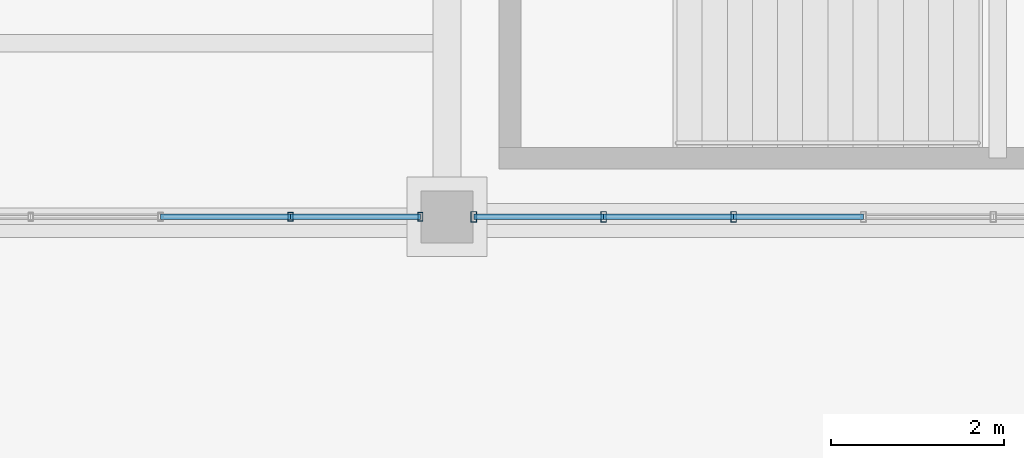
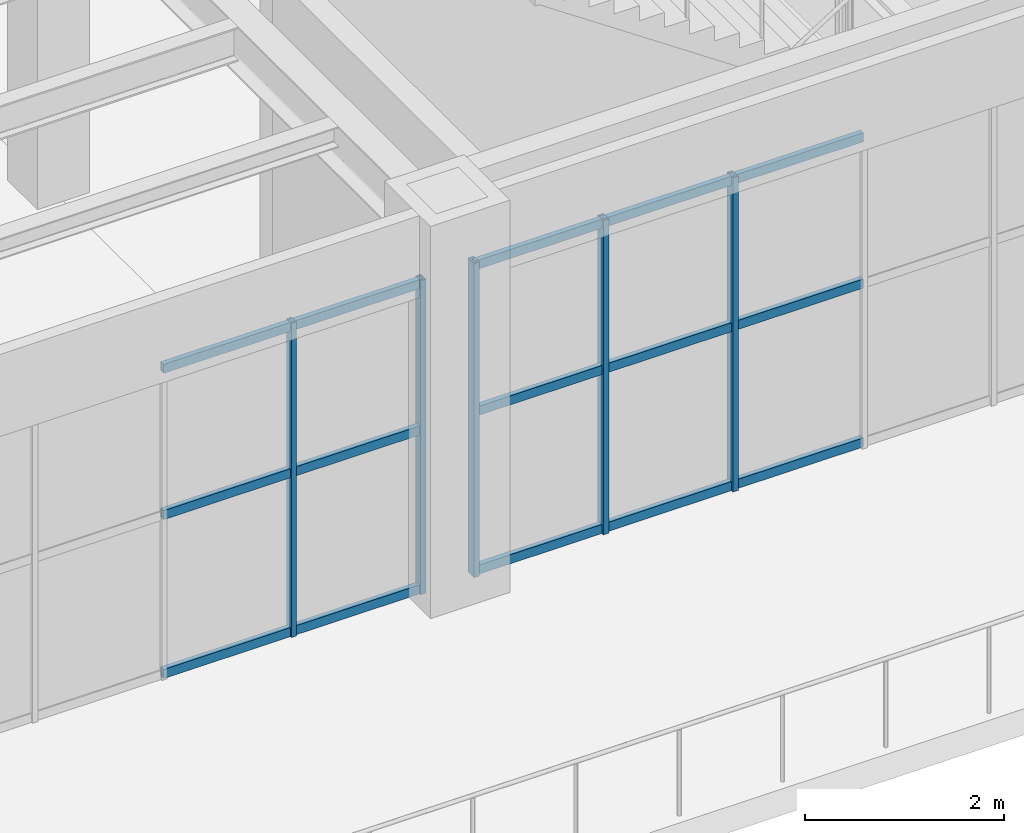
# One storey, part 31 of 83: 20 members, 2 elements without a shape of their own.
"""IFC4 building model written with IfcOpenShell, lengths in metres."""

from ifc_helpers import new_model, si_unit, direction, frame, origin, origin_2d, place, context, subcontext, project, spatial, hollow_rectangle, extrude, material, material_profile, profile_set, type_object, element, aggregate, save


model = new_model("IFC4")

# Units and contexts
model_context = context("Model", 3, precision=1e-05, world=origin(), true_north=direction((0.0, 1.0)))
body_context = subcontext(model_context, "Body", "Model", "MODEL_VIEW")
ifc_project = project(units=[si_unit("LENGTHUNIT", "METRE"), si_unit("AREAUNIT", "SQUARE_METRE"), si_unit("VOLUMEUNIT", "CUBIC_METRE"), si_unit("PLANEANGLEUNIT", "RADIAN"), si_unit("MASSUNIT", "GRAM", prefix="KILO")], contexts=[model_context])

# Site, building, storey
site_placement = place(None, origin())
site = spatial("IfcSite", under=ifc_project, at=site_placement, CompositionType="ELEMENT")
building_placement = place(site_placement, origin())
building = spatial("IfcBuilding", under=site, at=building_placement, Name="Mavantir Sound Aquarium", CompositionType="ELEMENT")
storey_placement = place(building_placement, frame((0.0, 0.0, 10.5)))
storey = spatial("IfcBuildingStorey", under=building, at=storey_placement, Name="L02", CompositionType="ELEMENT", Elevation=10.5)

# Curtain wall, members
ifc_material_1 = material(Name="Anodised Marine Aluminium and Low-E Glass", Category="aluminium")
curtain_wall_type_1 = type_object("IfcCurtainWallType", Name="CW-T15", PredefinedType="USERDEFINED", material=ifc_material_1)
curtain_wall_1_placement = place(storey_placement, origin())
curtain_wall_1 = element("IfcCurtainWall", 1, at=curtain_wall_1_placement, inside=storey, type_object=curtain_wall_type_1, Name="L02 unitised curtain wall CW-15 135", ObjectType="UNITISED GLAZING", PredefinedType="USERDEFINED")
ifc_material_2 = material(Name="Anodised Marine Aluminium 6063-T6", Category="aluminium")
ifc_material_profile_1 = material_profile(ifc_material_2, hollow_rectangle(XDim=0.06005859375, YDim=0.10009765625, WallThickness=0.00390625, at=origin_2d()), Name="ALU-MULLION-100X60")
ifc_profile_set_1 = profile_set([ifc_material_profile_1], Name="Anodised Marine Aluminium 6063-T6")
member_type_1 = type_object("IfcMemberType", Name="CW-MUL-100", PredefinedType="MULLION", material=ifc_profile_set_1)
member_1_placement = place(storey_placement, frame((144.5947265625, 40.800048828125, 0.0), z_axis=(0.0, 0.0, 1.0), x_axis=(1.0, 0.0, 0.0)))
member_1 = element("IfcMember", 2, at=member_1_placement, type_object=member_type_1, Name="CW-L02-135 vertical mullion 6", PredefinedType="MULLION", context=body_context, shape_type="SweptSolid", body=[
    extrude(hollow_rectangle(XDim=0.06005859375, YDim=0.10009765625, WallThickness=0.00390625, at=origin_2d()), origin(), (0.0, 0.0, 1.0), 3.844970703125),
])
member_2_placement = place(storey_placement, frame((146.092041015625, 40.800048828125, 0.0), z_axis=(0.0, 0.0, 1.0), x_axis=(1.0, 0.0, 0.0)))
member_2 = element("IfcMember", 3, at=member_2_placement, type_object=member_type_1, Name="CW-L02-135 vertical mullion 7", PredefinedType="MULLION", context=body_context, shape_type="SweptSolid", body=[
    extrude(hollow_rectangle(XDim=0.06005859375, YDim=0.10009765625, WallThickness=0.00390625, at=origin_2d()), origin(), (0.0, 0.0, 1.0), 3.844970703125),
])

curtain_wall_type_2 = type_object("IfcCurtainWallType", Name="CW-T16", PredefinedType="USERDEFINED", material=ifc_material_1)
curtain_wall_2_placement = place(storey_placement, origin())
curtain_wall_2 = element("IfcCurtainWall", 4, at=curtain_wall_2_placement, inside=storey, type_object=curtain_wall_type_2, Name="L02 unitised curtain wall CW-16 136", ObjectType="UNITISED GLAZING", PredefinedType="USERDEFINED")
ifc_material_profile_2 = material_profile(ifc_material_2, hollow_rectangle(XDim=0.06494140625, YDim=0.1201171875, WallThickness=0.00390625, at=origin_2d()), Name="ALU-MULLION-120X65")
ifc_profile_set_2 = profile_set([ifc_material_profile_2], Name="Anodised Marine Aluminium 6063-T6")
member_type_2 = type_object("IfcMemberType", Name="CW-MUL-120", PredefinedType="MULLION", material=ifc_profile_set_2)
member_3_placement = place(storey_placement, frame((146.7080078125, 40.800048828125, 0.0), z_axis=(0.0, 0.0, 1.0), x_axis=(1.0, 0.0, 0.0)))
member_3 = element("IfcMember", 5, at=member_3_placement, type_object=member_type_2, Name="CW-L02-136 vertical mullion 1", PredefinedType="MULLION", context=body_context, shape_type="SweptSolid", body=[
    extrude(hollow_rectangle(XDim=0.06494140625, YDim=0.1201171875, WallThickness=0.00390625, at=origin_2d()), origin(), (0.0, 0.0, 1.0), 3.844970703125),
])
member_4_placement = place(storey_placement, frame((148.205322265625, 40.800048828125, 0.0), z_axis=(0.0, 0.0, 1.0), x_axis=(1.0, 0.0, 0.0)))
member_4 = element("IfcMember", 6, at=member_4_placement, type_object=member_type_2, Name="CW-L02-136 vertical mullion 2", PredefinedType="MULLION", context=body_context, shape_type="SweptSolid", body=[
    extrude(hollow_rectangle(XDim=0.06494140625, YDim=0.1201171875, WallThickness=0.00390625, at=origin_2d()), origin(), (0.0, 0.0, 1.0), 3.844970703125),
])
member_5_placement = place(storey_placement, frame((149.70263671875, 40.800048828125, 0.0), z_axis=(0.0, 0.0, 1.0), x_axis=(1.0, 0.0, 0.0)))
member_5 = element("IfcMember", 7, at=member_5_placement, type_object=member_type_2, Name="CW-L02-136 vertical mullion 3", PredefinedType="MULLION", context=body_context, shape_type="SweptSolid", body=[
    extrude(hollow_rectangle(XDim=0.06494140625, YDim=0.1201171875, WallThickness=0.00390625, at=origin_2d()), origin(), (0.0, 0.0, 1.0), 3.844970703125),
])

# Member
ifc_material_profile_3 = material_profile(ifc_material_2, hollow_rectangle(XDim=0.06005859375, YDim=0.110107421875, WallThickness=0.00390625, at=origin_2d()), Name="ALU-TRANSOM-110X60")
ifc_profile_set_3 = profile_set([ifc_material_profile_3], Name="Anodised Marine Aluminium 6063-T6")
member_type_3 = type_object("IfcMemberType", Name="CW-TRN-110", PredefinedType="USERDEFINED", material=ifc_profile_set_3)
member_6_placement = place(storey_placement, frame((143.097412109375, 40.800048828125, 0.054931640625), z_axis=(1.0, 0.0, 0.0), x_axis=(0.0, 1.0, 0.0)))
member_6 = element("IfcMember", 8, at=member_6_placement, type_object=member_type_3, Name="CW-L02-135 transom 5.1", ObjectType="TRANSOM", PredefinedType="USERDEFINED", context=body_context, shape_type="SweptSolid", body=[
    extrude(hollow_rectangle(XDim=0.06005859375, YDim=0.110107421875, WallThickness=0.00390625, at=origin_2d()), origin(), (0.0, 0.0, 1.0), 1.497314453125),
])

member_7_placement = place(storey_placement, frame((143.097412109375, 40.800048828125, 1.99951171875), z_axis=(1.0, 0.0, 0.0), x_axis=(0.0, 1.0, 0.0)))
member_7 = element("IfcMember", 9, at=member_7_placement, type_object=member_type_3, Name="CW-L02-135 transom 5.2", ObjectType="TRANSOM", PredefinedType="USERDEFINED", context=body_context, shape_type="SweptSolid", body=[
    extrude(hollow_rectangle(XDim=0.06005859375, YDim=0.110107421875, WallThickness=0.00390625, at=origin_2d()), origin(), (0.0, 0.0, 1.0), 1.497314453125),
])

member_8_placement = place(storey_placement, frame((143.097412109375, 40.800048828125, 3.7900390625), z_axis=(1.0, 0.0, 0.0), x_axis=(0.0, 1.0, 0.0)))
member_8 = element("IfcMember", 10, at=member_8_placement, type_object=member_type_3, Name="CW-L02-135 transom 5.3", ObjectType="TRANSOM", PredefinedType="USERDEFINED", context=body_context, shape_type="SweptSolid", body=[
    extrude(hollow_rectangle(XDim=0.06005859375, YDim=0.110107421875, WallThickness=0.00390625, at=origin_2d()), origin(), (0.0, 0.0, 1.0), 1.497314453125),
])

member_9_placement = place(storey_placement, frame((144.5947265625, 40.800048828125, 0.054931640625), z_axis=(1.0, 0.0, 0.0), x_axis=(0.0, 1.0, 0.0)))
member_9 = element("IfcMember", 11, at=member_9_placement, type_object=member_type_3, Name="CW-L02-135 transom 6.1", ObjectType="TRANSOM", PredefinedType="USERDEFINED", context=body_context, shape_type="SweptSolid", body=[
    extrude(hollow_rectangle(XDim=0.06005859375, YDim=0.110107421875, WallThickness=0.00390625, at=origin_2d()), origin(), (0.0, 0.0, 1.0), 1.497314453125),
])

member_10_placement = place(storey_placement, frame((144.5947265625, 40.800048828125, 1.99951171875), z_axis=(1.0, 0.0, 0.0), x_axis=(0.0, 1.0, 0.0)))
member_10 = element("IfcMember", 12, at=member_10_placement, type_object=member_type_3, Name="CW-L02-135 transom 6.2", ObjectType="TRANSOM", PredefinedType="USERDEFINED", context=body_context, shape_type="SweptSolid", body=[
    extrude(hollow_rectangle(XDim=0.06005859375, YDim=0.110107421875, WallThickness=0.00390625, at=origin_2d()), origin(), (0.0, 0.0, 1.0), 1.497314453125),
])

member_11_placement = place(storey_placement, frame((144.5947265625, 40.800048828125, 3.7900390625), z_axis=(1.0, 0.0, 0.0), x_axis=(0.0, 1.0, 0.0)))
member_11 = element("IfcMember", 13, at=member_11_placement, type_object=member_type_3, Name="CW-L02-135 transom 6.3", ObjectType="TRANSOM", PredefinedType="USERDEFINED", context=body_context, shape_type="SweptSolid", body=[
    extrude(hollow_rectangle(XDim=0.06005859375, YDim=0.110107421875, WallThickness=0.00390625, at=origin_2d()), origin(), (0.0, 0.0, 1.0), 1.497314453125),
])

aggregate(curtain_wall_1, [member_1, member_2, member_6, member_7, member_8, member_9, member_10, member_11])

member_12_placement = place(storey_placement, frame((146.7080078125, 40.800048828125, 0.054931640625), z_axis=(1.0, 0.0, 0.0), x_axis=(0.0, 1.0, 0.0)))
member_12 = element("IfcMember", 14, at=member_12_placement, type_object=member_type_3, Name="CW-L02-136 transom 1.1", ObjectType="TRANSOM", PredefinedType="USERDEFINED", context=body_context, shape_type="SweptSolid", body=[
    extrude(hollow_rectangle(XDim=0.06005859375, YDim=0.110107421875, WallThickness=0.00390625, at=origin_2d()), origin(), (0.0, 0.0, 1.0), 1.497314453125),
])

member_13_placement = place(storey_placement, frame((146.7080078125, 40.800048828125, 1.99951171875), z_axis=(1.0, 0.0, 0.0), x_axis=(0.0, 1.0, 0.0)))
member_13 = element("IfcMember", 15, at=member_13_placement, type_object=member_type_3, Name="CW-L02-136 transom 1.2", ObjectType="TRANSOM", PredefinedType="USERDEFINED", context=body_context, shape_type="SweptSolid", body=[
    extrude(hollow_rectangle(XDim=0.06005859375, YDim=0.110107421875, WallThickness=0.00390625, at=origin_2d()), origin(), (0.0, 0.0, 1.0), 1.497314453125),
])

member_14_placement = place(storey_placement, frame((146.7080078125, 40.800048828125, 3.7900390625), z_axis=(1.0, 0.0, 0.0), x_axis=(0.0, 1.0, 0.0)))
member_14 = element("IfcMember", 16, at=member_14_placement, type_object=member_type_3, Name="CW-L02-136 transom 1.3", ObjectType="TRANSOM", PredefinedType="USERDEFINED", context=body_context, shape_type="SweptSolid", body=[
    extrude(hollow_rectangle(XDim=0.06005859375, YDim=0.110107421875, WallThickness=0.00390625, at=origin_2d()), origin(), (0.0, 0.0, 1.0), 1.497314453125),
])

member_15_placement = place(storey_placement, frame((148.205322265625, 40.800048828125, 0.054931640625), z_axis=(1.0, 0.0, 0.0), x_axis=(0.0, 1.0, 0.0)))
member_15 = element("IfcMember", 17, at=member_15_placement, type_object=member_type_3, Name="CW-L02-136 transom 2.1", ObjectType="TRANSOM", PredefinedType="USERDEFINED", context=body_context, shape_type="SweptSolid", body=[
    extrude(hollow_rectangle(XDim=0.06005859375, YDim=0.110107421875, WallThickness=0.00390625, at=origin_2d()), origin(), (0.0, 0.0, 1.0), 1.497314453125),
])

member_16_placement = place(storey_placement, frame((148.205322265625, 40.800048828125, 1.99951171875), z_axis=(1.0, 0.0, 0.0), x_axis=(0.0, 1.0, 0.0)))
member_16 = element("IfcMember", 18, at=member_16_placement, type_object=member_type_3, Name="CW-L02-136 transom 2.2", ObjectType="TRANSOM", PredefinedType="USERDEFINED", context=body_context, shape_type="SweptSolid", body=[
    extrude(hollow_rectangle(XDim=0.06005859375, YDim=0.110107421875, WallThickness=0.00390625, at=origin_2d()), origin(), (0.0, 0.0, 1.0), 1.497314453125),
])

member_17_placement = place(storey_placement, frame((148.205322265625, 40.800048828125, 3.7900390625), z_axis=(1.0, 0.0, 0.0), x_axis=(0.0, 1.0, 0.0)))
member_17 = element("IfcMember", 19, at=member_17_placement, type_object=member_type_3, Name="CW-L02-136 transom 2.3", ObjectType="TRANSOM", PredefinedType="USERDEFINED", context=body_context, shape_type="SweptSolid", body=[
    extrude(hollow_rectangle(XDim=0.06005859375, YDim=0.110107421875, WallThickness=0.00390625, at=origin_2d()), origin(), (0.0, 0.0, 1.0), 1.497314453125),
])

member_18_placement = place(storey_placement, frame((149.70263671875, 40.800048828125, 0.054931640625), z_axis=(1.0, 0.0, 0.0), x_axis=(0.0, 1.0, 0.0)))
member_18 = element("IfcMember", 20, at=member_18_placement, type_object=member_type_3, Name="CW-L02-136 transom 3.1", ObjectType="TRANSOM", PredefinedType="USERDEFINED", context=body_context, shape_type="SweptSolid", body=[
    extrude(hollow_rectangle(XDim=0.06005859375, YDim=0.110107421875, WallThickness=0.00390625, at=origin_2d()), origin(), (0.0, 0.0, 1.0), 1.497314453125),
])

member_19_placement = place(storey_placement, frame((149.70263671875, 40.800048828125, 1.99951171875), z_axis=(1.0, 0.0, 0.0), x_axis=(0.0, 1.0, 0.0)))
member_19 = element("IfcMember", 21, at=member_19_placement, type_object=member_type_3, Name="CW-L02-136 transom 3.2", ObjectType="TRANSOM", PredefinedType="USERDEFINED", context=body_context, shape_type="SweptSolid", body=[
    extrude(hollow_rectangle(XDim=0.06005859375, YDim=0.110107421875, WallThickness=0.00390625, at=origin_2d()), origin(), (0.0, 0.0, 1.0), 1.497314453125),
])

member_20_placement = place(storey_placement, frame((149.70263671875, 40.800048828125, 3.7900390625), z_axis=(1.0, 0.0, 0.0), x_axis=(0.0, 1.0, 0.0)))
member_20 = element("IfcMember", 22, at=member_20_placement, type_object=member_type_3, Name="CW-L02-136 transom 3.3", ObjectType="TRANSOM", PredefinedType="USERDEFINED", context=body_context, shape_type="SweptSolid", body=[
    extrude(hollow_rectangle(XDim=0.06005859375, YDim=0.110107421875, WallThickness=0.00390625, at=origin_2d()), origin(), (0.0, 0.0, 1.0), 1.497314453125),
])

aggregate(curtain_wall_2, [member_3, member_4, member_5, member_12, member_13, member_14, member_15, member_16, member_17, member_18, member_19, member_20])

save(model, "model.ifc")
